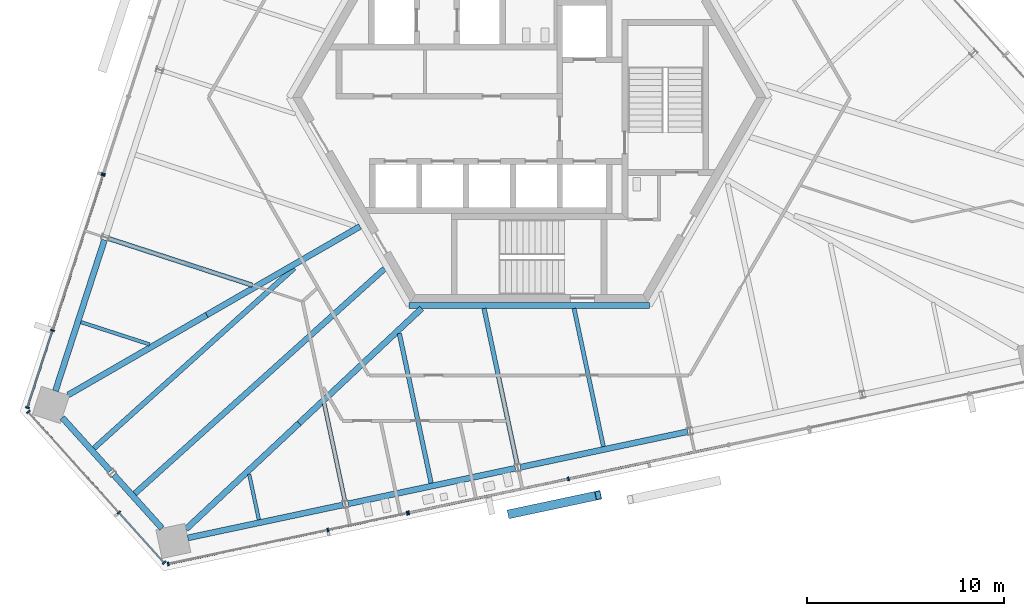
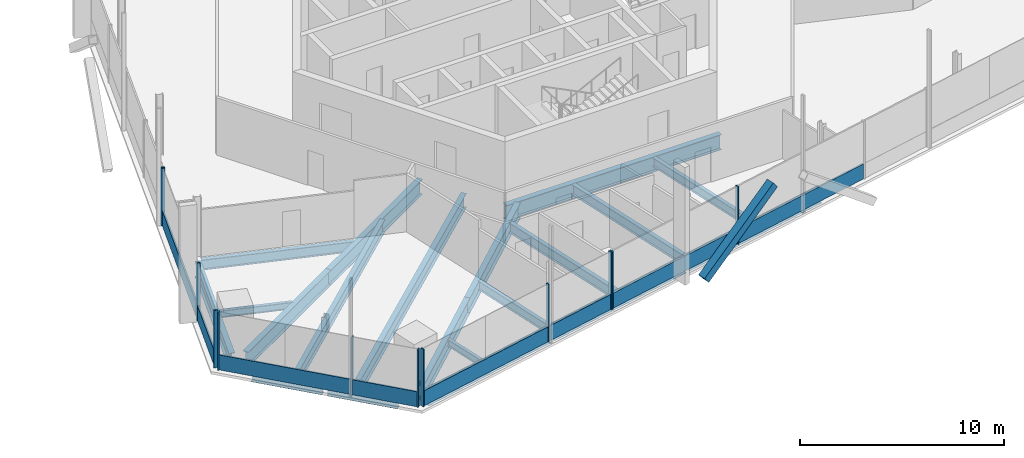
# One storey, part 4 of 17: 21 members, 20 beams, 5 elements without a shape of their own.
"""IFC4 building model written with IfcOpenShell, lengths in metres."""

import ifcopenshell
import ifcopenshell.guid

model = None  # the IFC model being written
_history = None  # IfcOwnerHistory: only IFC2X3 demands one
_inside = {}  # id of a spatial element -> (the spatial element, [elements in it])
_under = {}  # id of a project, library or spatial element -> (it, [spatial elements below it])
_declared = {}  # id of a project -> (the project, [libraries it declares])
_typed = {}  # id of a type object -> (the type object, [elements of that type])
_made_of = {}  # id of a material, layer set ... -> (it, [elements and type objects made of it])


def new_model(schema):
    """Start an empty IFC model of exactly this schema.

    Asked for "IFC4X3", IfcOpenShell would pick the latest addendum, in which some entities
    have other attributes; the version numbers below select the first issue.
    IFC2X3 requires an IfcOwnerHistory on every rooted entity: one is made here for all.
    """
    global model, _history
    if schema == "IFC4X3":
        model = ifcopenshell.file(schema_version=(4, 3, 0, 0))
    else:
        model = ifcopenshell.file(schema=schema)
    _inside.clear()
    _under.clear()
    _declared.clear()
    _typed.clear()
    _made_of.clear()
    _history = None
    if model.schema == "IFC2X3":
        org = make("IfcOrganization", Name="unknown")
        user = make(
            "IfcPersonAndOrganization",
            ThePerson=make("IfcPerson", FamilyName="unknown"),
            TheOrganization=org,
        )
        app = make(
            "IfcApplication",
            ApplicationDeveloper=org,
            Version="unknown",
            ApplicationFullName="unknown",
            ApplicationIdentifier="unknown",
        )
        _history = make(
            "IfcOwnerHistory",
            OwningUser=user,
            OwningApplication=app,
            ChangeAction="ADDED",
            CreationDate=0,
        )
    return model


def make(cls, **values):
    """One entity of the class cls with the attributes given. An attribute that is None is left unset."""
    return model.create_entity(
        cls, **{name: value for name, value in values.items() if value is not None}
    )


def rooted(cls, **values):
    """An entity with a GlobalId (a new one), such as an element, a storey or a relation."""
    return make(cls, GlobalId=ifcopenshell.guid.new(), OwnerHistory=_history, **values)


def si_unit(unit_type, name, prefix=None):
    """IfcSIUnit, for example si_unit("LENGTHUNIT", "METRE", prefix="MILLI")."""
    return make("IfcSIUnit", UnitType=unit_type, Prefix=prefix, Name=name)


def assignment(units):
    """IfcUnitAssignment: the units of a project."""
    return None if units is None else make("IfcUnitAssignment", Units=units)


def point(xyz):
    """IfcCartesianPoint."""
    return None if xyz is None else make("IfcCartesianPoint", Coordinates=xyz)


def direction(xyz):
    """IfcDirection."""
    return None if xyz is None else make("IfcDirection", DirectionRatios=xyz)


def frame(location, z_axis=None, x_axis=None):
    """IfcAxis2Placement3D, a coordinate frame: its origin and axes. An axis left out is left unset."""
    return make(
        "IfcAxis2Placement3D",
        Location=point(location),
        Axis=direction(z_axis),
        RefDirection=direction(x_axis),
    )


def frame_2d(location, x_axis=None):
    """IfcAxis2Placement2D, a coordinate frame in the plane: its origin and x axis."""
    return make(
        "IfcAxis2Placement2D", Location=point(location), RefDirection=direction(x_axis)
    )


def origin():
    """The frame at (0, 0, 0) with its axes left unset."""
    return frame((0.0, 0.0, 0.0))


def origin_2d():
    """The frame at (0, 0) in the plane with its x axis left unset."""
    return frame_2d((0.0, 0.0))


def place(relative_to, where):
    """IfcLocalPlacement: puts the frame where relative to a parent placement (None: the world)."""
    return make(
        "IfcLocalPlacement", PlacementRelTo=relative_to, RelativePlacement=where
    )


def context(
    kind, dimensions, precision=None, world=None, true_north=None, identifier=None
):
    """IfcGeometricRepresentationContext, for example the 3D "Model" context."""
    return make(
        "IfcGeometricRepresentationContext",
        ContextIdentifier=identifier,
        ContextType=kind,
        CoordinateSpaceDimension=dimensions,
        Precision=precision,
        WorldCoordinateSystem=world,
        TrueNorth=true_north,
    )


def subcontext(parent, identifier, kind, view, scale=None):
    """IfcGeometricRepresentationSubContext, for example "Body" below "Model"."""
    return make(
        "IfcGeometricRepresentationSubContext",
        ContextIdentifier=identifier,
        ContextType=kind,
        ParentContext=parent,
        TargetScale=scale,
        TargetView=view,
    )


def project(units=None, contexts=None):
    """IfcProject with its units and contexts."""
    return rooted(
        "IfcProject",
        Name="project",
        RepresentationContexts=contexts,
        UnitsInContext=assignment(units),
    )


def spatial(cls, under=None, at=None, **own):
    """A site, building, storey or space (cls), placed at a placement, below another one or the project."""
    s = rooted(cls, ObjectPlacement=at, **own)
    if under is not None:
        _under.setdefault(under.id(), (under, []))[1].append(s)
    return s


def profile(cls, at=None, kind="AREA", **sizes):
    """A parametric profile (cls). Its sizes go by their IFC names, for example OverallWidth=200.0."""
    return make(cls, ProfileType=kind, Position=at, **sizes)


def rectangle(**sizes):
    """IfcRectangleProfileDef."""
    return profile("IfcRectangleProfileDef", **sizes)


def hollow_rectangle(**sizes):
    """IfcRectangleHollowProfileDef."""
    return profile("IfcRectangleHollowProfileDef", **sizes)


def i_section(**sizes):
    """IfcIShapeProfileDef."""
    return profile("IfcIShapeProfileDef", **sizes)


def extrude(swept, where, along, depth):
    """IfcExtrudedAreaSolid: the profile swept, set in the frame where, extruded along a direction by depth."""
    return make(
        "IfcExtrudedAreaSolid",
        SweptArea=swept,
        Position=where,
        ExtrudedDirection=direction(along),
        Depth=depth,
    )


def shape(context_of_items, identifier, shape_type, items):
    """IfcShapeRepresentation: the items that make up one representation, for example the "Body"."""
    return make(
        "IfcShapeRepresentation",
        ContextOfItems=context_of_items,
        RepresentationIdentifier=identifier,
        RepresentationType=shape_type,
        Items=items,
    )


def source(mapping_origin, context_of_items, identifier, shape_type, items):
    """IfcRepresentationMap: a shape defined once, which mapped items show again and again."""
    return make(
        "IfcRepresentationMap",
        MappingOrigin=mapping_origin,
        MappedRepresentation=shape(context_of_items, identifier, shape_type, items),
    )


def transform(
    local_origin,
    x_axis=None,
    y_axis=None,
    z_axis=None,
    scale=None,
    scale2=None,
    scale3=None,
    uniform=True,
):
    """IfcCartesianTransformationOperator3D, or its non-uniform kind. x_axis, y_axis, z_axis: its Axis1, 2, 3."""
    if uniform:
        return make(
            "IfcCartesianTransformationOperator3D",
            Axis1=direction(x_axis),
            Axis2=direction(y_axis),
            LocalOrigin=point(local_origin),
            Scale=scale,
            Axis3=direction(z_axis),
        )
    return make(
        "IfcCartesianTransformationOperator3DnonUniform",
        Axis1=direction(x_axis),
        Axis2=direction(y_axis),
        LocalOrigin=point(local_origin),
        Scale=scale,
        Axis3=direction(z_axis),
        Scale2=scale2,
        Scale3=scale3,
    )


def mapped(mapping_source, mapping_target):
    """IfcMappedItem: shows the shape of a source again, moved by a transform."""
    return make(
        "IfcMappedItem", MappingSource=mapping_source, MappingTarget=mapping_target
    )


def material(Name=None, Category=None):
    """IfcMaterial."""
    return make("IfcMaterial", Name=Name, Category=Category)


def material_profile(
    of_material, cross_section, Name=None, Category=None, Priority=None
):
    """IfcMaterialProfile: a cross section and its material."""
    return make(
        "IfcMaterialProfile",
        Name=Name,
        Material=of_material,
        Profile=cross_section,
        Priority=Priority,
        Category=Category,
    )


def profile_set(profiles, Name=None, composite=None):
    """IfcMaterialProfileSet."""
    return make(
        "IfcMaterialProfileSet",
        Name=Name,
        MaterialProfiles=profiles,
        CompositeProfile=composite,
    )


def made_of(thing, what):
    """Note that an element or type object is made of a material, layer set ...; save() writes the relation."""
    if what is not None:
        _made_of.setdefault(what.id(), (what, []))[1].append(thing)
    return thing


def type_object(cls, material=None, **own):
    """A type object (cls), such as IfcWallType, which elements share."""
    return made_of(rooted(cls, **own), material)


def element(
    cls,
    number,
    at=None,
    inside=None,
    cuts=None,
    type_object=None,
    material=None,
    context=None,
    identifier="Body",
    shape_type=None,
    held_by="IfcProductDefinitionShape",
    body=None,
    shapes=None,
    **own,
):
    """One element of the class cls, such as IfcWall. Its Tag is "e" and its number.

    at: its placement. inside: the storey or other place that contains it. cuts: it is an
    opening in that element (IfcRelVoidsElement). A single representation is given by context,
    identifier, shape_type and body (its items); several are given by shapes. held_by: the class
    of the entity that holds the representations. save() writes the other relations.
    """
    e = rooted(cls, Tag="e%d" % number, ObjectPlacement=at, **own)
    if body is not None:
        shapes = [shape(context, identifier, shape_type, body)]
    if shapes is not None:
        e.Representation = make(held_by, Representations=shapes)
    if inside is not None:
        _inside.setdefault(inside.id(), (inside, []))[1].append(e)
    if cuts is not None:
        rooted(
            "IfcRelVoidsElement", RelatingBuildingElement=cuts, RelatedOpeningElement=e
        )
    if type_object is not None:
        _typed.setdefault(type_object.id(), (type_object, []))[1].append(e)
    return made_of(e, material)


def aggregate(whole, parts):
    """IfcRelAggregates: a whole, such as a stair, and the parts it consists of."""
    return rooted("IfcRelAggregates", RelatingObject=whole, RelatedObjects=parts)


def save(model, path):
    """Write the relations noted so far, then the file.

    IfcRelAggregates (storeys below a building ...), IfcRelContainedInSpatialStructure (elements
    in a storey), IfcRelDefinesByType, IfcRelAssociatesMaterial and IfcRelDeclares: one each for
    every whole, place, type object, material and project.
    """
    for whole, parts in _under.values():
        aggregate(whole, parts)
    for where, things in _inside.values():
        rooted(
            "IfcRelContainedInSpatialStructure",
            RelatedElements=things,
            RelatingStructure=where,
        )
    for kind, things in _typed.values():
        rooted("IfcRelDefinesByType", RelatedObjects=things, RelatingType=kind)
    for what, things in _made_of.values():
        rooted("IfcRelAssociatesMaterial", RelatedObjects=things, RelatingMaterial=what)
    for by, libraries in _declared.values():
        rooted("IfcRelDeclares", RelatingContext=by, RelatedDefinitions=libraries)
    model.write(path)


model = new_model("IFC4")

# Units and contexts
model_context = context("Model", 3, precision=1e-05, world=origin(), true_north=direction((0.0, 1.0)))
body_context = subcontext(model_context, "Body", "Model", "MODEL_VIEW")
ifc_project = project(units=[si_unit("LENGTHUNIT", "METRE"), si_unit("AREAUNIT", "SQUARE_METRE"), si_unit("VOLUMEUNIT", "CUBIC_METRE"), si_unit("PLANEANGLEUNIT", "RADIAN"), si_unit("MASSUNIT", "GRAM", prefix="KILO")], contexts=[model_context])

# Site, building, storey
site_placement = place(None, origin())
site = spatial("IfcSite", under=ifc_project, at=site_placement, CompositionType="ELEMENT")
building_placement = place(site_placement, origin())
building = spatial("IfcBuilding", under=site, at=building_placement, Name="Triune Harvest Tower", CompositionType="ELEMENT")
storey_placement = place(building_placement, frame((0.0, 0.0, 273.89990234375)))
storey = spatial("IfcBuildingStorey", under=building, at=storey_placement, Name="L72", CompositionType="ELEMENT", Elevation=273.89990234375)

# Beams
ifc_material_1 = material(Name="Steel ASTM A992 Gr 50", Category="steel")
ifc_material_profile_1 = material_profile(ifc_material_1, i_section(OverallWidth=0.3046875, OverallDepth=0.914306640625, WebThickness=0.0166015625, FlangeThickness=0.02587890625, at=origin_2d()), Name="W36x160")
ifc_profile_set_1 = profile_set([ifc_material_profile_1], Name="Steel ASTM A992 Gr 50")
beam_type_1 = type_object("IfcBeamType", Name="CG-1 Core ring girder W36x160", PredefinedType="BEAM", material=ifc_profile_set_1)
shared_shape_1 = source(origin(), body_context, "Body", "SweptSolid", [
    extrude(i_section(OverallWidth=0.3046875, OverallDepth=0.914306640625, WebThickness=0.0166015625, FlangeThickness=0.02587890625, at=origin_2d()), origin(), (0.0, 0.0, 1.0), 12.17578125),
])
beam_1_placement = place(storey_placement, frame((-6.087890625, -10.544677734375, -0.6171875), z_axis=(1.0, 0.0, 0.0), x_axis=(0.0, 1.0, 0.0)))
element("IfcBeam", 1, at=beam_1_placement, inside=storey, type_object=beam_type_1, Name="beam/L72/CG5", PredefinedType="BEAM", context=body_context, shape_type="MappedRepresentation", body=[
    mapped(shared_shape_1, transform((0.0, 0.0, 0.0), scale=1.0)),
])
ifc_material_2 = material(Name="Steel ASTM A992 Gr 50", Category="steel")
ifc_material_profile_2 = material_profile(ifc_material_2, i_section(OverallWidth=0.3046875, OverallDepth=0.914306640625, WebThickness=0.0166015625, FlangeThickness=0.02587890625, at=origin_2d()), Name="W36x160")
ifc_profile_set_2 = profile_set([ifc_material_profile_2], Name="Steel ASTM A992 Gr 50")
beam_type_2 = type_object("IfcBeamType", Name="HG-3 Hip girder W36x160", PredefinedType="BEAM", material=ifc_profile_set_2)
shared_shape_2 = source(origin(), body_context, "Body", "SweptSolid", [
    extrude(i_section(OverallWidth=0.3046875, OverallDepth=0.914306640625, WebThickness=0.0166015625, FlangeThickness=0.02587890625, at=origin_2d()), origin(), (0.0, 0.0, 1.0), 8.97265625),
])
beam_2_placement = place(storey_placement, frame((-16.34619140625, -11.02734375, -0.6171875), z_axis=(0.866024277037, 0.500001951578, 0.0), x_axis=(-0.500001951578, 0.866024277037, 0.0)))
element("IfcBeam", 2, at=beam_2_placement, inside=storey, type_object=beam_type_2, Name="beam/L72/HG5", PredefinedType="BEAM", context=body_context, shape_type="MappedRepresentation", body=[
    mapped(shared_shape_2, transform((0.0, 0.0, 0.0), scale=1.0)),
])
ifc_material_3 = material(Name="Steel ASTM A992 Gr 50", Category="steel")
ifc_material_profile_3 = material_profile(ifc_material_3, i_section(OverallWidth=0.3046875, OverallDepth=0.914306640625, WebThickness=0.0166015625, FlangeThickness=0.02587890625, at=origin_2d()), Name="W36x160")
ifc_profile_set_3 = profile_set([ifc_material_profile_3], Name="Steel ASTM A992 Gr 50")
beam_type_3 = type_object("IfcBeamType", Name="SB-1 Spandrel beam W36x160", PredefinedType="SPANDREL", material=ifc_profile_set_3)
shared_shape_3 = source(origin(), body_context, "Body", "SweptSolid", [
    extrude(i_section(OverallWidth=0.3046875, OverallDepth=0.914306640625, WebThickness=0.0166015625, FlangeThickness=0.02587890625, at=origin_2d()), origin(), (0.0, 0.0, 1.0), 8.0498046875),
])
beam_3_placement = place(storey_placement, frame((-21.529296875, -7.220703125, -0.6171875), z_axis=(-0.30902160762, -0.951055017348, 0.0), x_axis=(0.951055017348, -0.30902160762, 0.0)))
element("IfcBeam", 3, at=beam_3_placement, inside=storey, type_object=beam_type_3, Name="beam/L72/SB12", PredefinedType="SPANDREL", context=body_context, shape_type="MappedRepresentation", body=[
    mapped(shared_shape_3, transform((0.0, 0.0, 0.0), scale=1.0)),
])
shared_shape_4 = source(origin(), body_context, "Body", "SweptSolid", [
    extrude(i_section(OverallWidth=0.3046875, OverallDepth=0.914306640625, WebThickness=0.0166015625, FlangeThickness=0.02587890625, at=origin_2d()), origin(), (0.0, 0.0, 1.0), 8.67138671875),
])
for number, where, z_axis, x_axis, name in (
    (4, (-9.1806640625, -20.603271484375, -0.6171875), (0.978145539793, 0.207921386546, 0.0), (-0.207921386546, 0.978145539793, 0.0), "beam/L72/SB16"),
    (5, (-0.44775390625, -18.7470703125, -0.6171875), (0.978145539793, 0.207921386546, 0.0), (-0.207921386546, 0.978145539793, 0.0), "beam/L72/SB17"),
):
    element("IfcBeam", number, at=place(storey_placement, frame(where, z_axis=z_axis, x_axis=x_axis)), inside=storey, type_object=beam_type_3, Name=name, PredefinedType="SPANDREL", context=body_context, shape_type="MappedRepresentation", body=[
        mapped(shared_shape_4, transform((0.0, 0.0, 0.0), scale=1.0)),
    ])
shared_shape_5 = source(origin(), body_context, "Body", "SweptSolid", [
    extrude(i_section(OverallWidth=0.3046875, OverallDepth=0.914306640625, WebThickness=0.0166015625, FlangeThickness=0.02587890625, at=origin_2d()), origin(), (0.0, 0.0, 1.0), 3.645751953125),
])
for number, where, z_axis, x_axis, name in (
    (6, (-23.669189453125, -16.2333984375, -0.6171875), (0.669138606654, -0.743137621901, 0.0), (0.743137621901, 0.669138606654, 0.0), "beam/L72/SB13"),
    (7, (-21.05810546875, -19.13330078125, -0.6171875), (0.669138606654, -0.743137621901, 0.0), (0.743137621901, 0.669138606654, 0.0), "beam/L72/SB14"),
):
    element("IfcBeam", number, at=place(storey_placement, frame(where, z_axis=z_axis, x_axis=x_axis)), inside=storey, type_object=beam_type_3, Name=name, PredefinedType="SPANDREL", context=body_context, shape_type="MappedRepresentation", body=[
        mapped(shared_shape_5, transform((0.0, 0.0, 0.0), scale=1.0)),
    ])
shared_shape_6 = source(origin(), body_context, "Body", "SweptSolid", [
    extrude(i_section(OverallWidth=0.3046875, OverallDepth=0.914306640625, WebThickness=0.0166015625, FlangeThickness=0.02587890625, at=origin_2d()), origin(), (0.0, 0.0, 1.0), 8.049560546875),
])
beam_4_placement = place(storey_placement, frame((-17.305419921875, -22.330322265625, -0.6171875), z_axis=(0.978148597907, 0.207906999431, 0.0), x_axis=(-0.207906999431, 0.978148597907, 0.0)))
element("IfcBeam", 8, at=beam_4_placement, inside=storey, type_object=beam_type_3, Name="beam/L72/SB15", PredefinedType="SPANDREL", context=body_context, shape_type="MappedRepresentation", body=[
    mapped(shared_shape_6, transform((0.0, 0.0, 0.0), scale=1.0)),
])
shared_shape_7 = source(origin(), body_context, "Body", "SweptSolid", [
    extrude(i_section(OverallWidth=0.3046875, OverallDepth=0.914306640625, WebThickness=0.0166015625, FlangeThickness=0.02587890625, at=origin_2d()), origin(), (0.0, 0.0, 1.0), 8.11572265625),
])
beam_5_placement = place(storey_placement, frame((-23.37451171875, -15.085205078125, -0.6171875), z_axis=(0.866022271607, 0.500005425051, 0.0), x_axis=(-0.500005425051, 0.866022271607, 0.0)))
element("IfcBeam", 9, at=beam_5_placement, inside=storey, type_object=beam_type_2, Name="beam/L72/HG4", PredefinedType="BEAM", context=body_context, shape_type="MappedRepresentation", body=[
    mapped(shared_shape_7, transform((0.0, 0.0, 0.0), scale=1.0)),
])
shared_shape_8 = source(origin(), body_context, "Body", "SweptSolid", [
    extrude(i_section(OverallWidth=0.3046875, OverallDepth=0.914306640625, WebThickness=0.0166015625, FlangeThickness=0.02587890625, at=origin_2d()), origin(), (0.0, 0.0, 1.0), 7.858642578125),
])
beam_6_placement = place(storey_placement, frame((-17.399658203125, -21.88720703125, -0.6171875), z_axis=(0.729902338859, 0.683551443367, 0.0), x_axis=(-0.683551443367, 0.729902338859, 0.0)))
element("IfcBeam", 10, at=beam_6_placement, inside=storey, type_object=beam_type_2, Name="beam/L72/HG6", PredefinedType="BEAM", context=body_context, shape_type="MappedRepresentation", body=[
    mapped(shared_shape_8, transform((0.0, 0.0, 0.0), scale=1.0)),
])
shared_shape_9 = source(origin(), body_context, "Body", "SweptSolid", [
    extrude(i_section(OverallWidth=0.3046875, OverallDepth=0.914306640625, WebThickness=0.0166015625, FlangeThickness=0.02587890625, at=origin_2d()), origin(), (0.0, 0.0, 1.0), 8.511962890625),
])
beam_7_placement = place(storey_placement, frame((-11.66357421875, -16.515380859375, -0.6171875), z_axis=(0.729902036757, 0.683551765954, 0.0), x_axis=(-0.683551765954, 0.729902036757, 0.0)))
element("IfcBeam", 11, at=beam_7_placement, inside=storey, type_object=beam_type_2, Name="beam/L72/HG7", PredefinedType="BEAM", context=body_context, shape_type="MappedRepresentation", body=[
    mapped(shared_shape_9, transform((0.0, 0.0, 0.0), scale=1.0)),
])
ifc_material_4 = material(Name="Steel ASTM A992 Gr 50", Category="steel")
ifc_material_profile_4 = material_profile(ifc_material_4, i_section(OverallWidth=0.180908203125, OverallDepth=0.41650390625, WebThickness=0.010986328125, FlangeThickness=0.01806640625, at=origin_2d()), Name="W16x57")
ifc_profile_set_4 = profile_set([ifc_material_profile_4], Name="Steel ASTM A992 Gr 50")
beam_type_4 = type_object("IfcBeamType", Name="JT-1 Floor joist W16x57", PredefinedType="JOIST", material=ifc_profile_set_4)
shared_shape_10 = source(origin(), body_context, "Body", "SweptSolid", [
    extrude(i_section(OverallWidth=0.180908203125, OverallDepth=0.41650390625, WebThickness=0.010986328125, FlangeThickness=0.01806640625, at=origin_2d()), origin(), (0.0, 0.0, 1.0), 2.364990234375),
])
beam_8_placement = place(storey_placement, frame((-13.704345703125, -21.4091796875, -0.3681640625), z_axis=(-0.207914315996, 0.978147042731, 0.0), x_axis=(-0.978147042731, -0.207914315996, 0.0)))
element("IfcBeam", 12, at=beam_8_placement, inside=storey, type_object=beam_type_4, Name="beam/L72/JT23", PredefinedType="JOIST", context=body_context, shape_type="MappedRepresentation", body=[
    mapped(shared_shape_10, transform((0.0, 0.0, 0.0), scale=1.0)),
])
ifc_material_5 = material(Name="Steel ASTM A992 Gr 50", Category="steel")
ifc_material_profile_5 = material_profile(ifc_material_5, i_section(OverallWidth=0.2099609375, OverallDepth=0.535888671875, WebThickness=0.010986328125, FlangeThickness=0.017333984375, at=origin_2d()), Name="W21x68")
ifc_profile_set_5 = profile_set([ifc_material_profile_5], Name="Steel ASTM A992 Gr 50")
beam_type_5 = type_object("IfcBeamType", Name="JT-2 Floor joist W21x68", PredefinedType="JOIST", material=ifc_profile_set_5)
shared_shape_11 = source(origin(), body_context, "Body", "SweptSolid", [
    extrude(i_section(OverallWidth=0.2099609375, OverallDepth=0.535888671875, WebThickness=0.010986328125, FlangeThickness=0.017333984375, at=origin_2d()), origin(), (0.0, 0.0, 1.0), 5.031982421875),
])
beam_9_placement = place(storey_placement, frame((-9.34375, -20.45361328125, -0.427978515625), z_axis=(-0.207895312057, 0.978151082004, 0.0), x_axis=(-0.978151082004, -0.207895312057, 0.0)))
element("IfcBeam", 13, at=beam_9_placement, inside=storey, type_object=beam_type_5, Name="beam/L72/JT24", PredefinedType="JOIST", context=body_context, shape_type="MappedRepresentation", body=[
    mapped(shared_shape_11, transform((0.0, 0.0, 0.0), scale=1.0)),
])
ifc_material_6 = material(Name="Steel ASTM A992 Gr 50", Category="steel")
ifc_material_profile_6 = material_profile(ifc_material_6, i_section(OverallWidth=0.22900390625, OverallDepth=0.612060546875, WebThickness=0.011962890625, FlangeThickness=0.01953125, at=origin_2d()), Name="W24x84")
ifc_profile_set_6 = profile_set([ifc_material_profile_6], Name="Steel ASTM A992 Gr 50")
beam_type_6 = type_object("IfcBeamType", Name="JT-3 Floor joist W24x84", PredefinedType="JOIST", material=ifc_profile_set_6)
shared_shape_12 = source(origin(), body_context, "Body", "SweptSolid", [
    extrude(i_section(OverallWidth=0.22900390625, OverallDepth=0.612060546875, WebThickness=0.011962890625, FlangeThickness=0.01953125, at=origin_2d()), origin(), (0.0, 0.0, 1.0), 7.755126953125),
])
beam_10_placement = place(storey_placement, frame((-4.971435546875, -19.552734375, -0.466064453125), z_axis=(-0.20790130149, 0.978149808996, 0.0), x_axis=(-0.978149808996, -0.20790130149, 0.0)))
element("IfcBeam", 14, at=beam_10_placement, inside=storey, type_object=beam_type_6, Name="beam/L72/JT25", PredefinedType="JOIST", context=body_context, shape_type="MappedRepresentation", body=[
    mapped(shared_shape_12, transform((0.0, 0.0, 0.0), scale=1.0)),
])
shared_shape_13 = source(origin(), body_context, "Body", "SweptSolid", [
    extrude(i_section(OverallWidth=0.22900390625, OverallDepth=0.612060546875, WebThickness=0.011962890625, FlangeThickness=0.01953125, at=origin_2d()), origin(), (0.0, 0.0, 1.0), 8.076904296875),
])
beam_11_placement = place(storey_placement, frame((-0.61083984375, -18.597412109375, -0.466064453125), z_axis=(-0.207902137341, 0.978149631339, 0.0), x_axis=(-0.978149631339, -0.207902137341, 0.0)))
element("IfcBeam", 15, at=beam_11_placement, inside=storey, type_object=beam_type_6, Name="beam/L72/JT26", PredefinedType="JOIST", context=body_context, shape_type="MappedRepresentation", body=[
    mapped(shared_shape_13, transform((0.0, 0.0, 0.0), scale=1.0)),
])
shared_shape_14 = source(origin(), body_context, "Body", "SweptSolid", [
    extrude(i_section(OverallWidth=0.22900390625, OverallDepth=0.612060546875, WebThickness=0.011962890625, FlangeThickness=0.01953125, at=origin_2d()), origin(), (0.0, 0.0, 1.0), 7.6533203125),
])
beam_12_placement = place(storey_placement, frame((-21.318115234375, -7.154541015625, -0.466064453125), z_axis=(0.951057977144, -0.309012498309, 0.0), x_axis=(0.309012498309, 0.951057977144, 0.0)))
element("IfcBeam", 16, at=beam_12_placement, inside=storey, type_object=beam_type_6, Name="beam/L72/JT19", PredefinedType="JOIST", context=body_context, shape_type="MappedRepresentation", body=[
    mapped(shared_shape_14, transform((0.0, 0.0, 0.0), scale=1.0)),
])
shared_shape_15 = source(origin(), body_context, "Body", "SweptSolid", [
    extrude(i_section(OverallWidth=0.180908203125, OverallDepth=0.41650390625, WebThickness=0.010986328125, FlangeThickness=0.01806640625, at=origin_2d()), origin(), (0.0, 0.0, 1.0), 3.661865234375),
])
beam_13_placement = place(storey_placement, frame((-22.72412109375, -11.391357421875, -0.3681640625), z_axis=(0.951056113966, -0.309018232614, 0.0), x_axis=(0.309018232614, 0.951056113966, 0.0)))
element("IfcBeam", 17, at=beam_13_placement, inside=storey, type_object=beam_type_4, Name="beam/L72/JT20", PredefinedType="JOIST", context=body_context, shape_type="MappedRepresentation", body=[
    mapped(shared_shape_15, transform((0.0, 0.0, 0.0), scale=1.0)),
])
ifc_material_7 = material(Name="Steel ASTM A992 Gr 50", Category="steel")
ifc_material_profile_7 = material_profile(ifc_material_7, i_section(OverallWidth=0.2666015625, OverallDepth=0.7568359375, WebThickness=0.013916015625, FlangeThickness=0.019287109375, at=origin_2d()), Name="W30x108")
ifc_profile_set_7 = profile_set([ifc_material_profile_7], Name="Steel ASTM A992 Gr 50")
beam_type_7 = type_object("IfcBeamType", Name="JT-5 Floor joist W30x108", PredefinedType="JOIST", material=ifc_profile_set_7)
shared_shape_16 = source(origin(), body_context, "Body", "SweptSolid", [
    extrude(i_section(OverallWidth=0.2666015625, OverallDepth=0.7568359375, WebThickness=0.013916015625, FlangeThickness=0.019287109375, at=origin_2d()), origin(), (0.0, 0.0, 1.0), 13.667724609375),
])
beam_14_placement = place(storey_placement, frame((-22.0654296875, -17.78662109375, -0.538330078125), z_axis=(0.743148465952, 0.66912656318, 0.0), x_axis=(-0.66912656318, 0.743148465952, 0.0)))
element("IfcBeam", 18, at=beam_14_placement, inside=storey, type_object=beam_type_7, Name="beam/L72/JT21", PredefinedType="JOIST", context=body_context, shape_type="MappedRepresentation", body=[
    mapped(shared_shape_16, transform((0.0, 0.0, 0.0), scale=1.0)),
])
ifc_material_8 = material(Name="Steel ASTM A992 Gr 50", Category="steel")
ifc_material_profile_8 = material_profile(ifc_material_8, i_section(OverallWidth=0.2919921875, OverallDepth=0.8408203125, WebThickness=0.0146484375, FlangeThickness=0.021728515625, at=origin_2d()), Name="W33x130")
ifc_profile_set_8 = profile_set([ifc_material_profile_8], Name="Steel ASTM A992 Gr 50")
beam_type_8 = type_object("IfcBeamType", Name="JT-6 Floor joist W33x130", PredefinedType="JOIST", material=ifc_profile_set_8)
shared_shape_17 = source(origin(), body_context, "Body", "SweptSolid", [
    extrude(i_section(OverallWidth=0.2919921875, OverallDepth=0.8408203125, WebThickness=0.0146484375, FlangeThickness=0.021728515625, at=origin_2d()), origin(), (0.0, 0.0, 1.0), 17.03466796875),
])
beam_15_placement = place(storey_placement, frame((-19.99560546875, -20.08544921875, -0.580322265625), z_axis=(0.743143047387, 0.669132581123, 0.0), x_axis=(-0.669132581123, 0.743143047387, 0.0)))
element("IfcBeam", 19, at=beam_15_placement, inside=storey, type_object=beam_type_8, Name="beam/L72/JT22", PredefinedType="JOIST", context=body_context, shape_type="MappedRepresentation", body=[
    mapped(shared_shape_17, transform((0.0, 0.0, 0.0), scale=1.0)),
])
shared_shape_18 = source(origin(), body_context, "Body", "SweptSolid", [
    extrude(i_section(OverallWidth=0.2099609375, OverallDepth=0.535888671875, WebThickness=0.010986328125, FlangeThickness=0.017333984375, at=origin_2d()), origin(), (0.0, 0.0, 1.0), 7.156005859375),
])
beam_16_placement = place(storey_placement, frame((3.761474609375, -17.696533203125, -0.427978515625), z_axis=(-0.207911801049, 0.978147577303, 0.0), x_axis=(-0.978147577303, -0.207911801049, 0.0)))
element("IfcBeam", 20, at=beam_16_placement, inside=storey, type_object=beam_type_5, Name="beam/L72/JT27", PredefinedType="JOIST", context=body_context, shape_type="MappedRepresentation", body=[
    mapped(shared_shape_18, transform((0.0, 0.0, 0.0), scale=1.0)),
])

# Member
ifc_material_9 = material(Name="Steel ASTM A572 Gr 50", Category="steel")
ifc_material_profile_9 = material_profile(ifc_material_9, hollow_rectangle(XDim=0.449951171875, YDim=0.449951171875, WallThickness=0.02490234375, at=origin_2d()), Name="Box 450x450x25")
ifc_profile_set_9 = profile_set([ifc_material_profile_9], Name="Steel ASTM A572 Gr 50")
member_type_1 = type_object("IfcMemberType", Name="BR-4 Brace Box 450x450x25", PredefinedType="BRACE", material=ifc_profile_set_9)
shared_shape_19 = source(origin(), body_context, "Body", "SweptSolid", [
    extrude(hollow_rectangle(XDim=0.449951171875, YDim=0.449951171875, WallThickness=0.02490234375, at=origin_2d()), origin(), (0.0, 0.0, 1.0), 5.789306640625),
])
member_1_placement = place(storey_placement, frame((-0.937255859375, -21.111083984375, 0.0), z_axis=(0.766026862196, 0.162820243046, 0.621845973572), x_axis=(-0.20790705694, 0.978148585683, 0.0)))
element("IfcMember", 21, at=member_1_placement, inside=storey, type_object=member_type_1, Name="brace/B7-F5/d1/5", PredefinedType="BRACE", context=body_context, shape_type="MappedRepresentation", body=[
    mapped(shared_shape_19, transform((0.0, 0.0, 0.0), scale=1.0)),
])

# Curtain wall, member
ifc_material_10 = material(Name="Aluminium bronze anodised", Category="aluminium")
curtain_wall_type_1 = type_object("IfcCurtainWallType", Name="CW-7 Tower stick curtain wall with insulated spandrel infill", PredefinedType="NOTDEFINED", material=ifc_material_10)
curtain_wall_1_placement = place(storey_placement, origin())
curtain_wall_1 = element("IfcCurtainWall", 22, at=curtain_wall_1_placement, inside=storey, type_object=curtain_wall_type_1, Name="CW-7 B7-F3 L72 run 1001")
ifc_material_11 = material(Name="Aluminium bronze anodised", Category="aluminium")
ifc_material_profile_10 = material_profile(ifc_material_11, rectangle(XDim=0.199951171875, YDim=0.074951171875, at=origin_2d()), Name="MU-1 mullion 75 x 200")
ifc_profile_set_10 = profile_set([ifc_material_profile_10], Name="Aluminium bronze anodised")
member_type_2 = type_object("IfcMemberType", Name="MU-1 mullion 75 x 200", PredefinedType="MULLION", material=ifc_profile_set_10)
shared_shape_20 = source(origin(), body_context, "Body", "SweptSolid", [
    extrude(rectangle(XDim=0.199951171875, YDim=0.074951171875, at=origin_2d()), origin(), (0.0, 0.0, 1.0), 3.440185546875),
])
member_2_placement = place(storey_placement, frame((-21.582763671875, -3.8720703125, 0.0), z_axis=(0.0, 0.0, 1.0), x_axis=(0.951055533932, -0.309020017761, 0.0)))
member_2 = element("IfcMember", 23, at=member_2_placement, type_object=member_type_2, Name="CW-7 mullion B7-F3 1001.6", PredefinedType="MULLION", context=body_context, shape_type="MappedRepresentation", body=[
    mapped(shared_shape_20, transform((0.0, 0.0, 0.0), scale=1.0)),
])
aggregate(curtain_wall_1, [member_2])

# Curtain wall, members
ifc_material_12 = material(Name="Aluminium bronze anodised", Category="aluminium")
curtain_wall_type_2 = type_object("IfcCurtainWallType", Name="CW-1 Tower stick curtain wall", PredefinedType="NOTDEFINED", material=ifc_material_12)
curtain_wall_2_placement = place(storey_placement, origin())
curtain_wall_2 = element("IfcCurtainWall", 24, at=curtain_wall_2_placement, inside=storey, type_object=curtain_wall_type_2, Name="CW-1 B7-F3 L72 run 2001")
member_3_placement = place(storey_placement, frame((-21.60595703125, -3.943359375, 0.0), z_axis=(0.0, 0.0, 1.0), x_axis=(0.951057715783, -0.309013302707, 0.0)))
member_3 = element("IfcMember", 25, at=member_3_placement, type_object=member_type_2, Name="CW-1 mullion B7-F3 2001.1", PredefinedType="MULLION", context=body_context, shape_type="MappedRepresentation", body=[
    mapped(shared_shape_20, transform((0.0, 0.0, 0.0), scale=1.0)),
])
member_4_placement = place(storey_placement, frame((-24.162841796875, -11.8125, 0.0), z_axis=(0.0, 0.0, 1.0), x_axis=(0.951057715783, -0.309013302707, 0.0)))
member_4 = element("IfcMember", 26, at=member_4_placement, type_object=member_type_2, Name="CW-1 mullion B7-F3 2001.3", PredefinedType="MULLION", context=body_context, shape_type="MappedRepresentation", body=[
    mapped(shared_shape_20, transform((0.0, 0.0, 0.0), scale=1.0)),
])
member_5_placement = place(storey_placement, frame((-25.435302734375, -15.729248046875, 0.0), z_axis=(0.0, 0.0, 1.0), x_axis=(0.951057715783, -0.309013302707, 0.0)))
member_5 = element("IfcMember", 27, at=member_5_placement, type_object=member_type_2, Name="CW-1 mullion B7-F3 2001.4", PredefinedType="MULLION", context=body_context, shape_type="MappedRepresentation", body=[
    mapped(shared_shape_20, transform((0.0, 0.0, 0.0), scale=1.0)),
])

curtain_wall_3_placement = place(storey_placement, origin())
curtain_wall_3 = element("IfcCurtainWall", 28, at=curtain_wall_3_placement, inside=storey, type_object=curtain_wall_type_2, Name="CW-1 B7-F4 L72 run 1")
member_6_placement = place(storey_placement, frame((-25.389404296875, -15.9453125, 0.0), z_axis=(0.0, 0.0, 1.0), x_axis=(0.743143542297, 0.669132031472, 0.0)))
member_6 = element("IfcMember", 29, at=member_6_placement, type_object=member_type_2, Name="CW-1 mullion B7-F4 1.1", PredefinedType="MULLION", context=body_context, shape_type="MappedRepresentation", body=[
    mapped(shared_shape_20, transform((0.0, 0.0, 0.0), scale=1.0)),
])
member_7_placement = place(storey_placement, frame((-20.7958984375, -21.046875, 0.0), z_axis=(0.0, 0.0, 1.0), x_axis=(0.743143542297, 0.669132031472, 0.0)))
member_7 = element("IfcMember", 30, at=member_7_placement, type_object=member_type_2, Name="CW-1 mullion B7-F4 1.3", PredefinedType="MULLION", context=body_context, shape_type="MappedRepresentation", body=[
    mapped(shared_shape_20, transform((0.0, 0.0, 0.0), scale=1.0)),
])
member_8_placement = place(storey_placement, frame((-18.51171875, -23.583740234375, 0.0), z_axis=(0.0, 0.0, 1.0), x_axis=(0.743143542297, 0.669132031472, 0.0)))
member_8 = element("IfcMember", 31, at=member_8_placement, type_object=member_type_2, Name="CW-1 mullion B7-F4 1.4", PredefinedType="MULLION", context=body_context, shape_type="MappedRepresentation", body=[
    mapped(shared_shape_20, transform((0.0, 0.0, 0.0), scale=1.0)),
])

curtain_wall_4_placement = place(storey_placement, origin())
curtain_wall_4 = element("IfcCurtainWall", 32, at=curtain_wall_4_placement, inside=storey, type_object=curtain_wall_type_2, Name="CW-1 B7-F5 L72 run 1")
member_9_placement = place(storey_placement, frame((-18.3017578125, -23.65185546875, 0.0), z_axis=(0.0, 0.0, 1.0), x_axis=(-0.207909221248, 0.978148125654, 0.0)))
member_9 = element("IfcMember", 33, at=member_9_placement, type_object=member_type_2, Name="CW-1 mullion B7-F5 1.1", PredefinedType="MULLION", context=body_context, shape_type="MappedRepresentation", body=[
    mapped(shared_shape_20, transform((0.0, 0.0, 0.0), scale=1.0)),
])
member_10_placement = place(storey_placement, frame((-10.20849609375, -21.931640625, 0.0), z_axis=(0.0, 0.0, 1.0), x_axis=(-0.207909221248, 0.978148125654, 0.0)))
member_10 = element("IfcMember", 34, at=member_10_placement, type_object=member_type_2, Name="CW-1 mullion B7-F5 1.3", PredefinedType="MULLION", context=body_context, shape_type="MappedRepresentation", body=[
    mapped(shared_shape_20, transform((0.0, 0.0, 0.0), scale=1.0)),
])
member_11_placement = place(storey_placement, frame((-6.18017578125, -21.075439453125, 0.0), z_axis=(0.0, 0.0, 1.0), x_axis=(-0.207909221248, 0.978148125654, 0.0)))
member_11 = element("IfcMember", 35, at=member_11_placement, type_object=member_type_2, Name="CW-1 mullion B7-F5 1.4", PredefinedType="MULLION", context=body_context, shape_type="MappedRepresentation", body=[
    mapped(shared_shape_20, transform((0.0, 0.0, 0.0), scale=1.0)),
])

curtain_wall_5_placement = place(storey_placement, origin())
curtain_wall_5 = element("IfcCurtainWall", 36, at=curtain_wall_5_placement, inside=storey, type_object=curtain_wall_type_1, Name="CW-7 B7-F5 L72 run 1001")
member_12_placement = place(storey_placement, frame((-6.10693359375, -21.059814453125, 0.0), z_axis=(0.0, 0.0, 1.0), x_axis=(-0.207913090389, 0.978147303245, 0.0)))
member_12 = element("IfcMember", 37, at=member_12_placement, type_object=member_type_2, Name="CW-7 mullion B7-F5 1001.1", PredefinedType="MULLION", context=body_context, shape_type="MappedRepresentation", body=[
    mapped(shared_shape_20, transform((0.0, 0.0, 0.0), scale=1.0)),
])
member_13_placement = place(storey_placement, frame((1.986328125, -19.339599609375, 0.0), z_axis=(0.0, 0.0, 1.0), x_axis=(-0.207913090389, 0.978147303245, 0.0)))
member_13 = element("IfcMember", 38, at=member_13_placement, type_object=member_type_2, Name="CW-7 mullion B7-F5 1001.3", PredefinedType="MULLION", context=body_context, shape_type="MappedRepresentation", body=[
    mapped(shared_shape_20, transform((0.0, 0.0, 0.0), scale=1.0)),
])

# Member
ifc_material_13 = material(Name="Aluminium bronze anodised", Category="aluminium")
ifc_material_profile_11 = material_profile(ifc_material_13, rectangle(XDim=0.090087890625, YDim=0.89990234375, at=origin_2d()), Name="TR-1 transom 90 x 900")
ifc_profile_set_11 = profile_set([ifc_material_profile_11], Name="Aluminium bronze anodised")
member_type_3 = type_object("IfcMemberType", Name="TR-1 transom 90 x 900", PredefinedType="USERDEFINED", material=ifc_profile_set_11)
shared_shape_21 = source(origin(), body_context, "Body", "SweptSolid", [
    extrude(rectangle(XDim=0.090087890625, YDim=0.89990234375, at=origin_2d()), origin(), (0.0, 0.0, 1.0), 6.7900390625),
])
member_14_placement = place(storey_placement, frame((-25.364501953125, -15.97314453125, 0.4501953125), z_axis=(0.669139526396, -0.743136793743, 0.0), x_axis=(0.743136793743, 0.669139526396, 0.0)))
member_14 = element("IfcMember", 39, at=member_14_placement, type_object=member_type_3, Name="CW-1 transom B7-F4 1.1", ObjectType="TRANSOM", PredefinedType="USERDEFINED", context=body_context, shape_type="MappedRepresentation", body=[
    mapped(shared_shape_21, transform((0.0, 0.0, 0.0), scale=1.0)),
])

shared_shape_22 = source(origin(), body_context, "Body", "SweptSolid", [
    extrude(rectangle(XDim=0.090087890625, YDim=0.89990234375, at=origin_2d()), origin(), (0.0, 0.0, 1.0), 3.338623046875),
])
member_15_placement = place(storey_placement, frame((-20.77099609375, -21.07470703125, 0.4501953125), z_axis=(0.66917479026, -0.743105039736, 0.0), x_axis=(0.743105039736, 0.66917479026, 0.0)))
member_15 = element("IfcMember", 40, at=member_15_placement, type_object=member_type_3, Name="CW-1 transom B7-F4 1.2", ObjectType="TRANSOM", PredefinedType="USERDEFINED", context=body_context, shape_type="MappedRepresentation", body=[
    mapped(shared_shape_22, transform((0.0, 0.0, 0.0), scale=1.0)),
])

aggregate(curtain_wall_3, [member_6, member_7, member_8, member_14, member_15])

shared_shape_23 = source(origin(), body_context, "Body", "SweptSolid", [
    extrude(rectangle(XDim=0.090087890625, YDim=0.89990234375, at=origin_2d()), origin(), (0.0, 0.0, 1.0), 8.198974609375),
])
member_16_placement = place(storey_placement, frame((-21.61767578125, -3.97900390625, 0.4501953125), z_axis=(-0.308991809103, -0.951064699117, 0.0), x_axis=(0.951064699117, -0.308991809103, 0.0)))
member_16 = element("IfcMember", 41, at=member_16_placement, type_object=member_type_3, Name="CW-1 transom B7-F3 2001.1", ObjectType="TRANSOM", PredefinedType="USERDEFINED", context=body_context, shape_type="MappedRepresentation", body=[
    mapped(shared_shape_23, transform((0.0, 0.0, 0.0), scale=1.0)),
])

member_17_placement = place(storey_placement, frame((-6.070068359375, -21.052001953125, 0.4501953125), z_axis=(0.978149238743, 0.207903984441, 0.0), x_axis=(-0.207903984441, 0.978149238743, 0.0)))
member_17 = element("IfcMember", 42, at=member_17_placement, type_object=member_type_3, Name="CW-7 transom B7-F5 1001.1", ObjectType="TRANSOM", PredefinedType="USERDEFINED", context=body_context, shape_type="MappedRepresentation", body=[
    mapped(shared_shape_23, transform((0.0, 0.0, 0.0), scale=1.0)),
])

shared_shape_24 = source(origin(), body_context, "Body", "SweptSolid", [
    extrude(rectangle(XDim=0.090087890625, YDim=0.89990234375, at=origin_2d()), origin(), (0.0, 0.0, 1.0), 8.19921875),
])
member_18_placement = place(storey_placement, frame((-18.26513671875, -23.64404296875, 0.4501953125), z_axis=(0.978150525776, 0.207897929101, 0.0), x_axis=(-0.207897929101, 0.978150525776, 0.0)))
member_18 = element("IfcMember", 43, at=member_18_placement, type_object=member_type_3, Name="CW-1 transom B7-F5 1.1", ObjectType="TRANSOM", PredefinedType="USERDEFINED", context=body_context, shape_type="MappedRepresentation", body=[
    mapped(shared_shape_24, transform((0.0, 0.0, 0.0), scale=1.0)),
])

shared_shape_25 = source(origin(), body_context, "Body", "SweptSolid", [
    extrude(rectangle(XDim=0.090087890625, YDim=0.89990234375, at=origin_2d()), origin(), (0.0, 0.0, 1.0), 4.04345703125),
])
member_19_placement = place(storey_placement, frame((-24.17431640625, -11.84814453125, 0.4501953125), z_axis=(-0.309027363751, -0.951053147018, 0.0), x_axis=(0.951053147018, -0.309027363751, 0.0)))
member_19 = element("IfcMember", 44, at=member_19_placement, type_object=member_type_3, Name="CW-1 transom B7-F3 2001.2", ObjectType="TRANSOM", PredefinedType="USERDEFINED", context=body_context, shape_type="MappedRepresentation", body=[
    mapped(shared_shape_25, transform((0.0, 0.0, 0.0), scale=1.0)),
])

aggregate(curtain_wall_2, [member_3, member_4, member_5, member_16, member_19])

member_20_placement = place(storey_placement, frame((-10.171875, -21.923828125, 0.4501953125), z_axis=(0.978152712315, 0.207887641265, 0.0), x_axis=(-0.207887641265, 0.978152712315, 0.0)))
member_20 = element("IfcMember", 45, at=member_20_placement, type_object=member_type_3, Name="CW-1 transom B7-F5 1.2", ObjectType="TRANSOM", PredefinedType="USERDEFINED", context=body_context, shape_type="MappedRepresentation", body=[
    mapped(shared_shape_25, transform((0.0, 0.0, 0.0), scale=1.0)),
])

aggregate(curtain_wall_4, [member_9, member_10, member_11, member_18, member_20])

shared_shape_26 = source(origin(), body_context, "Body", "SweptSolid", [
    extrude(rectangle(XDim=0.090087890625, YDim=0.89990234375, at=origin_2d()), origin(), (0.0, 0.0, 1.0), 8.236328125),
])
member_21_placement = place(storey_placement, frame((2.023193359375, -19.331787109375, 0.4501953125), z_axis=(0.978142500488, 0.20793568414, 0.0), x_axis=(-0.20793568414, 0.978142500488, 0.0)))
member_21 = element("IfcMember", 46, at=member_21_placement, type_object=member_type_3, Name="CW-7 transom B7-F5 1001.2", ObjectType="TRANSOM", PredefinedType="USERDEFINED", context=body_context, shape_type="MappedRepresentation", body=[
    mapped(shared_shape_26, transform((0.0, 0.0, 0.0), scale=1.0)),
])

aggregate(curtain_wall_5, [member_12, member_13, member_17, member_21])

save(model, "model.ifc")
